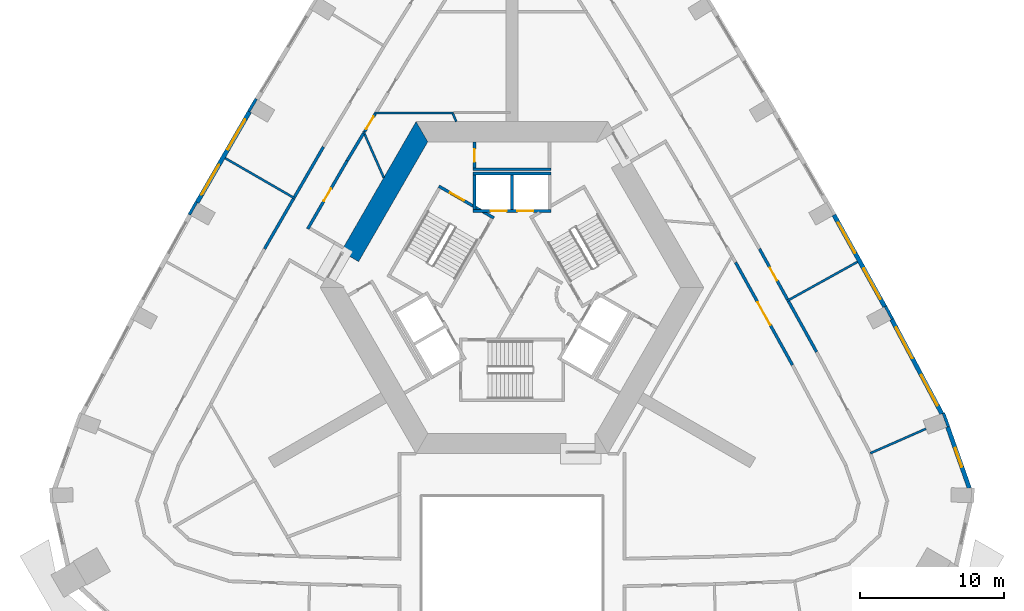
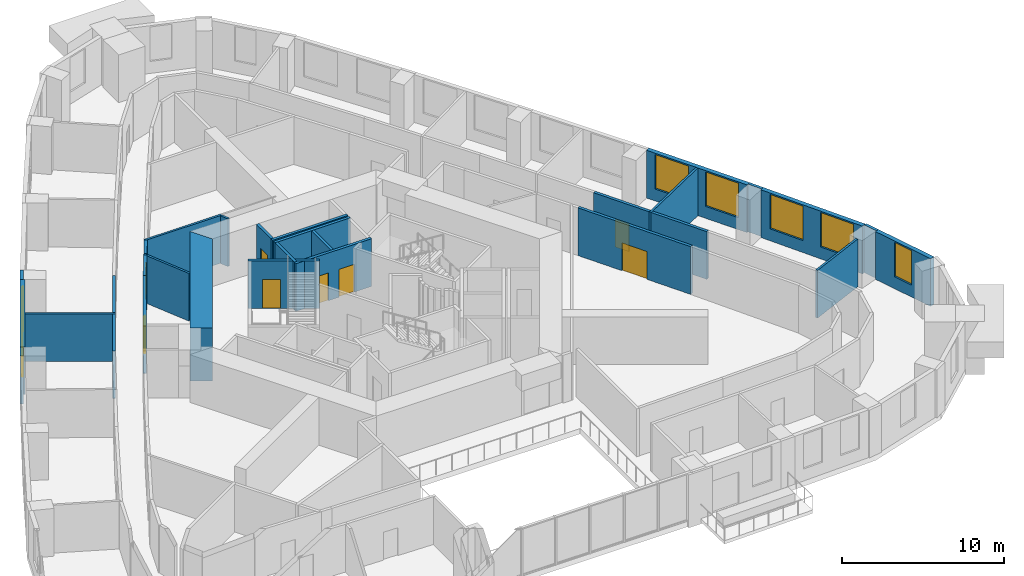
# One storey, part 7 of 13: 30 walls, 8 doors, 7 windows, 15 openings.
"""IFC4 building model written with IfcOpenShell, lengths in metres."""

from ifc_helpers import new_model, si_unit, direction, frame, frame_2d, origin, place, context, subcontext, project, spatial, polyline, rectangle, outline, extrude, material, layer, layer_set, type_object, element, fill, save


model = new_model("IFC4")

# Units and contexts
model_context = context("Model", 3, precision=1e-05, world=origin(), true_north=direction((0.0, 1.0)))
body_context = subcontext(model_context, "Body", "Model", "MODEL_VIEW")
ifc_project = project(units=[si_unit("LENGTHUNIT", "METRE"), si_unit("AREAUNIT", "SQUARE_METRE"), si_unit("VOLUMEUNIT", "CUBIC_METRE"), si_unit("PLANEANGLEUNIT", "RADIAN"), si_unit("MASSUNIT", "GRAM", prefix="KILO")], contexts=[model_context])

# Site, building, storey
site_placement = place(None, origin())
site = spatial("IfcSite", under=ifc_project, at=site_placement, CompositionType="ELEMENT")
building_placement = place(site_placement, origin())
building = spatial("IfcBuilding", under=site, at=building_placement, Name="Entoto Arch Interchange Tower", CompositionType="ELEMENT")
storey_placement = place(building_placement, frame((0.0, 0.0, 231.800048828125)))
storey = spatial("IfcBuildingStorey", under=building, at=storey_placement, Name="L52", CompositionType="ELEMENT", Elevation=231.800048828125)

# Wall
ifc_material_1 = material(Name="Concrete C50/60", Category="concrete")
ifc_layer_1 = layer(ifc_material_1, 1.39990234375)
ifc_layer_set_1 = layer_set([ifc_layer_1], Name="Concrete C50/60")
wall_type_1 = type_object("IfcWallType", Name="Core wall 1400 C50/60", PredefinedType="SHEAR", material=ifc_layer_set_1)
wall_1_placement = place(storey_placement, frame((0.0, 0.0, -0.400146484375)))
element("IfcWall", 1, at=wall_1_placement, inside=storey, type_object=wall_type_1, Name="Core wall NW L52", PredefinedType="SHEAR", context=body_context, shape_type="SweptSolid", body=[
    extrude(outline(polyline([(-11.833984375, 5.001953125), (-10.6220703125, 4.302001953125), (-5.8310546875, 12.60009765625), (-6.639892578125, 14.0), (-11.833984375, 5.001953125)])), origin(), (0.0, 0.0, 1.0), 4.0),
])

# Wall, openings, doors
ifc_material_2 = material(Name="Concrete C40/50", Category="concrete")
ifc_layer_2 = layer(ifc_material_2, 0.199951171875)
ifc_layer_set_2 = layer_set([ifc_layer_2], Name="Concrete C40/50")
wall_type_2 = type_object("IfcWallType", Name="LIFT SHAFT WALL 200", PredefinedType="STANDARD", material=ifc_layer_set_2)
wall_2_placement = place(storey_placement, frame((2.699951171875, 7.800048828125, 0.0), z_axis=(0.0, 0.0, 1.0), x_axis=(-1.0, 0.0, 0.0)))
wall_2 = element("IfcWall", 2, at=wall_2_placement, inside=storey, type_object=wall_type_2, Name="Shaft wall N1 front", PredefinedType="STANDARD", context=body_context, shape_type="SweptSolid", body=[
    extrude(rectangle(XDim=5.39990234375, YDim=0.199951171875, at=frame_2d((2.699951171875, 0.0))), origin(), (0.0, 0.0, 1.0), 3.599853515625),
])
opening_1_placement = place(wall_2_placement, frame((1.22509765625, 0.0, 0.0)))
opening_1 = element("IfcOpeningElement", 3, at=opening_1_placement, cuts=wall_2, Name="Opening LD-HR1-L52", PredefinedType="OPENING", context=body_context, shape_type="SweptSolid", body=[
    extrude(rectangle(XDim=1.10009765625, YDim=2.10009765625, at=frame_2d((0.550048828125, 1.050048828125))), frame((0.0, 0.10986328125, 0.0), z_axis=(0.0, -1.0, 0.0), x_axis=(1.0, 0.0, 0.0)), (0.0, 0.0, 1.0), 0.219970703125),
])
opening_2_placement = place(wall_2_placement, frame((3.074951171875, 0.0, 0.0)))
opening_2 = element("IfcOpeningElement", 4, at=opening_2_placement, cuts=wall_2, Name="Opening LD-HR2-L52", PredefinedType="OPENING", context=body_context, shape_type="SweptSolid", body=[
    extrude(rectangle(XDim=1.10009765625, YDim=2.10009765625, at=frame_2d((0.550048828125, 1.050048828125))), frame((0.0, 0.10986328125, 0.0), z_axis=(0.0, -1.0, 0.0), x_axis=(1.0, 0.0, 0.0)), (0.0, 0.0, 1.0), 0.219970703125),
])
ifc_material_3 = material(Name="Stainless steel 1.4301 panels", Category="steel")
door_type_1 = type_object("IfcDoorType", Name="LIFT LANDING DOOR LD1 1100x2100", OperationType="SLIDING_TO_LEFT", PredefinedType="DOOR", material=ifc_material_3)
door_1_placement = place(opening_1_placement, origin())
door_1 = element("IfcDoor", 5, at=door_1_placement, inside=storey, type_object=door_type_1, Name="Lift landing door HR1 L52", OperationType="SLIDING_TO_LEFT", OverallHeight=2.10009765625, OverallWidth=1.10009765625, PredefinedType="DOOR", context=body_context, shape_type="SweptSolid", body=[
    extrude(rectangle(XDim=1.10009765625, YDim=2.10009765625, at=frame_2d((0.550048828125, 1.050048828125))), frame((0.0, 0.02490234375, 0.0), z_axis=(0.0, -1.0, 0.0), x_axis=(1.0, 0.0, 0.0)), (0.0, 0.0, 1.0), 0.050048828125),
])
fill(opening_1, door_1)
door_2_placement = place(opening_2_placement, origin())
door_2 = element("IfcDoor", 6, at=door_2_placement, inside=storey, type_object=door_type_1, Name="Lift landing door HR2 L52", OperationType="SLIDING_TO_LEFT", OverallHeight=2.10009765625, OverallWidth=1.10009765625, PredefinedType="DOOR", context=body_context, shape_type="SweptSolid", body=[
    extrude(rectangle(XDim=1.10009765625, YDim=2.10009765625, at=frame_2d((0.550048828125, 1.050048828125))), frame((0.0, 0.02490234375, 0.0), z_axis=(0.0, -1.0, 0.0), x_axis=(1.0, 0.0, 0.0)), (0.0, 0.0, 1.0), 0.050048828125),
])
fill(opening_2, door_2)

# Walls
wall_3_placement = place(storey_placement, frame((2.699951171875, 10.39990234375, 0.0), z_axis=(0.0, 0.0, 1.0), x_axis=(-1.0, 0.0, 0.0)))
element("IfcWall", 7, at=wall_3_placement, inside=storey, type_object=wall_type_2, Name="Shaft wall N1 back", PredefinedType="STANDARD", context=body_context, shape_type="SweptSolid", body=[
    extrude(rectangle(XDim=5.39990234375, YDim=0.199951171875, at=frame_2d((2.699951171875, 0.0))), origin(), (0.0, 0.0, 1.0), 3.599853515625),
])
for number, where, z_axis, x_axis, name in (
    (8, (0.0, 7.89990234375, 0.0), (0.0, 0.0, 1.0), (0.0, 1.0, 0.0), "Shaft wall N1 cross 2"),
    (9, (-2.60009765625, 7.89990234375, 0.0), (0.0, 0.0, 1.0), (0.0, 1.0, 0.0), "Shaft wall N1 cross 3"),
):
    element("IfcWall", number, at=place(storey_placement, frame(where, z_axis=z_axis, x_axis=x_axis)), inside=storey, type_object=wall_type_2, Name=name, PredefinedType="STANDARD", context=body_context, shape_type="SweptSolid", body=[
        extrude(rectangle(XDim=2.400146484375, YDim=0.199951171875, at=frame_2d((1.2001953125, 0.0))), origin(), (0.0, 0.0, 1.0), 3.599853515625),
    ])
ifc_material_4 = material(Name="Gypsum board partition on steel studs", Category="steel")
ifc_layer_3 = layer(ifc_material_4, 0.14990234375)
ifc_layer_set_3 = layer_set([ifc_layer_3], Name="Gypsum board partition on steel studs")
wall_type_3 = type_object("IfcWallType", Name="PARTITION 150", PredefinedType="PARTITIONING", material=ifc_layer_set_3)
wall_4_placement = place(storey_placement, frame((-8.87890625, 10.123046875, 0.0), z_axis=(0.0, 0.0, 1.0), x_axis=(-0.404271206787, 0.914639159102, 0.0)))
element("IfcWall", 10, at=wall_4_placement, inside=storey, type_object=wall_type_3, Name="wall:L52:p080", PredefinedType="PARTITIONING", context=body_context, shape_type="SweptSolid", body=[
    extrude(rectangle(XDim=3.495361328125, YDim=0.14990234375, at=frame_2d((1.74755859375, 0.0))), origin(), (0.0, 0.0, 1.0), 3.599853515625),
])
wall_5_placement = place(storey_placement, frame((-3.85693359375, 14.0, 0.0), z_axis=(0.0, 0.0, 1.0), x_axis=(-0.403443407317, 0.915004599493, 0.0)))
element("IfcWall", 11, at=wall_5_placement, inside=storey, type_object=wall_type_3, Name="wall:L52:p081", PredefinedType="PARTITIONING", context=body_context, shape_type="SweptSolid", body=[
    extrude(rectangle(XDim=0.580322265625, YDim=0.14990234375, at=frame_2d((0.2900390625, 0.0))), origin(), (0.0, 0.0, 1.0), 3.599853515625),
])
wall_6_placement = place(storey_placement, frame((-4.047119140625, 14.60009765625, 0.0), z_axis=(0.0, 0.0, 1.0), x_axis=(-1.0, 0.0, 0.0)))
element("IfcWall", 12, at=wall_6_placement, inside=storey, type_object=wall_type_3, Name="wall:L52:p082", PredefinedType="PARTITIONING", context=body_context, shape_type="SweptSolid", body=[
    extrude(rectangle(XDim=5.47998046875, YDim=0.14990234375, at=frame_2d((2.739990234375, 0.0))), origin(), (0.0, 0.0, 1.0), 3.599853515625),
])
wall_7_placement = place(storey_placement, frame((24.819091796875, -8.964111328125, 0.0), z_axis=(0.0, 0.0, 1.0), x_axis=(0.915460951187, 0.402406817602, 0.0)))
element("IfcWall", 13, at=wall_7_placement, inside=storey, type_object=wall_type_3, Name="wall:L52:p116", PredefinedType="PARTITIONING", context=body_context, shape_type="SweptSolid", body=[
    extrude(rectangle(XDim=4.1923828125, YDim=0.14990234375, at=frame_2d((2.09619140625, 0.0))), origin(), (0.0, 0.0, 1.0), 3.599853515625),
])
wall_8_placement = place(storey_placement, frame((19.02490234375, 1.570068359375, 0.0), z_axis=(0.0, 0.0, 1.0), x_axis=(0.874714019242, 0.484639437666, 0.0)))
element("IfcWall", 14, at=wall_8_placement, inside=storey, type_object=wall_type_3, Name="wall:L52:p117", PredefinedType="PARTITIONING", context=body_context, shape_type="SweptSolid", body=[
    extrude(rectangle(XDim=5.599853515625, YDim=0.14990234375, at=frame_2d((2.7998046875, 0.0))), origin(), (0.0, 0.0, 1.0), 3.599853515625),
])
wall_9_placement = place(storey_placement, frame((-15.010009765625, 8.6650390625, 0.0), z_axis=(0.0, 0.0, 1.0), x_axis=(-0.865961984968, 0.500109828528, 0.0)))
element("IfcWall", 15, at=wall_9_placement, inside=storey, type_object=wall_type_3, Name="wall:L52:p123", PredefinedType="PARTITIONING", context=body_context, shape_type="SweptSolid", body=[
    extrude(rectangle(XDim=5.600830078125, YDim=0.14990234375, at=frame_2d((2.80029296875, 0.0))), origin(), (0.0, 0.0, 1.0), 3.599853515625),
])

# Wall, opening, door
ifc_layer_4 = layer(ifc_material_4, 0.199951171875)
ifc_layer_set_4 = layer_set([ifc_layer_4], Name="Gypsum board partition on steel studs")
wall_type_4 = type_object("IfcWallType", Name="PARTITION 200", PredefinedType="PARTITIONING", material=ifc_layer_set_4)
wall_10_placement = place(storey_placement, frame((-9.466064453125, 14.535888671875, 0.0), z_axis=(0.0, 0.0, 1.0), x_axis=(-0.514545292, -0.857463201823, 0.0)))
wall_10 = element("IfcWall", 16, at=wall_10_placement, inside=storey, type_object=wall_type_4, Name="wall:L52:p001", PredefinedType="PARTITIONING", context=body_context, shape_type="SweptSolid", body=[
    extrude(rectangle(XDim=1.449462890625, YDim=0.199951171875, at=frame_2d((0.724609375, 0.0))), origin(), (0.0, 0.0, 1.0), 3.599853515625),
])
opening_3_placement = place(wall_10_placement, frame((0.22509765625, 0.0, 0.0)))
opening_3 = element("IfcOpeningElement", 17, at=opening_3_placement, cuts=wall_10, Name="Opening L52-D32", PredefinedType="OPENING", context=body_context, shape_type="SweptSolid", body=[
    extrude(rectangle(XDim=1.0, YDim=2.10009765625, at=frame_2d((0.5, 1.050048828125))), frame((0.0, 0.10986328125, 0.0), z_axis=(0.0, -1.0, 0.0), x_axis=(1.0, 0.0, 0.0)), (0.0, 0.0, 1.0), 0.219970703125),
])
ifc_material_5 = material(Name="Timber door leaf in Steel S235 frame", Category="steel")
door_type_2 = type_object("IfcDoorType", Name="DOOR DS-10 1000x2100", OperationType="SINGLE_SWING_LEFT", PredefinedType="DOOR", material=ifc_material_5)
door_3_placement = place(opening_3_placement, origin())
door_3 = element("IfcDoor", 18, at=door_3_placement, inside=storey, type_object=door_type_2, Name="door:L52:32", OperationType="SINGLE_SWING_RIGHT", OverallHeight=2.10009765625, OverallWidth=1.0, PredefinedType="DOOR", context=body_context, shape_type="SweptSolid", body=[
    extrude(rectangle(XDim=1.0, YDim=2.10009765625, at=frame_2d((0.5, 1.050048828125))), frame((0.0, 0.02490234375, 0.0), z_axis=(0.0, -1.0, 0.0), x_axis=(1.0, 0.0, 0.0)), (0.0, 0.0, 1.0), 0.050048828125),
])
fill(opening_3, door_3)

# Wall
wall_11_placement = place(storey_placement, frame((-10.2900390625, 13.1640625, 0.0), z_axis=(0.0, 0.0, 1.0), x_axis=(-0.514904735811, -0.857247404802, 0.0)))
element("IfcWall", 19, at=wall_11_placement, inside=storey, type_object=wall_type_4, Name="wall:L52:p002", PredefinedType="PARTITIONING", context=body_context, shape_type="SweptSolid", body=[
    extrude(rectangle(XDim=2.1943359375, YDim=0.199951171875, at=frame_2d((1.09716796875, 0.0))), origin(), (0.0, 0.0, 1.0), 3.599853515625),
])

# Wall, opening, door
wall_12_placement = place(storey_placement, frame((-11.419921875, 11.282958984375, 0.0), z_axis=(0.0, 0.0, 1.0), x_axis=(-0.500179011873, -0.86592202656, 0.0)))
wall_12 = element("IfcWall", 20, at=wall_12_placement, inside=storey, type_object=wall_type_4, Name="wall:L52:p003", PredefinedType="PARTITIONING", context=body_context, shape_type="SweptSolid", body=[
    extrude(rectangle(XDim=5.4462890625, YDim=0.199951171875, at=frame_2d((2.72314453125, 0.0))), origin(), (0.0, 0.0, 1.0), 3.599853515625),
])
opening_4_placement = place(wall_12_placement, frame((2.222900390625, 0.0, 0.0)))
opening_4 = element("IfcOpeningElement", 21, at=opening_4_placement, cuts=wall_12, Name="Opening L52-D24", PredefinedType="OPENING", context=body_context, shape_type="SweptSolid", body=[
    extrude(rectangle(XDim=1.0, YDim=2.10009765625, at=frame_2d((0.5, 1.050048828125))), frame((0.0, 0.10986328125, 0.0), z_axis=(0.0, -1.0, 0.0), x_axis=(1.0, 0.0, 0.0)), (0.0, 0.0, 1.0), 0.219970703125),
])
door_4_placement = place(opening_4_placement, origin())
door_4 = element("IfcDoor", 22, at=door_4_placement, inside=storey, type_object=door_type_2, Name="door:L52:24", OperationType="SINGLE_SWING_LEFT", OverallHeight=2.10009765625, OverallWidth=1.0, PredefinedType="DOOR", context=body_context, shape_type="SweptSolid", body=[
    extrude(rectangle(XDim=1.0, YDim=2.10009765625, at=frame_2d((0.5, 1.050048828125))), frame((0.0, 0.02490234375, 0.0), z_axis=(0.0, -1.0, 0.0), x_axis=(1.0, 0.0, 0.0)), (0.0, 0.0, 1.0), 0.050048828125),
])
fill(opening_4, door_4)

wall_13_placement = place(storey_placement, frame((19.4189453125, -2.85595703125, 0.0), z_axis=(0.0, 0.0, 1.0), x_axis=(-0.484683114876, 0.874689818252, 0.0)))
wall_13 = element("IfcWall", 23, at=wall_13_placement, inside=storey, type_object=wall_type_4, Name="wall:L52:p027", PredefinedType="PARTITIONING", context=body_context, shape_type="SweptSolid", body=[
    extrude(rectangle(XDim=8.122802734375, YDim=0.199951171875, at=frame_2d((4.0615234375, 0.0))), origin(), (0.0, 0.0, 1.0), 3.599853515625),
])
opening_5_placement = place(wall_13_placement, frame((3.160888671875, 0.0, 0.0)))
opening_5 = element("IfcOpeningElement", 24, at=opening_5_placement, cuts=wall_13, Name="Opening L52-D15", PredefinedType="OPENING", context=body_context, shape_type="SweptSolid", body=[
    extrude(rectangle(XDim=1.800048828125, YDim=2.10009765625, at=frame_2d((0.89990234375, 1.050048828125))), frame((0.0, 0.10986328125, 0.0), z_axis=(0.0, -1.0, 0.0), x_axis=(1.0, 0.0, 0.0)), (0.0, 0.0, 1.0), 0.219970703125),
])
door_type_3 = type_object("IfcDoorType", Name="DOOR DD-18 1800x2100", OperationType="DOUBLE_DOOR_SINGLE_SWING", PredefinedType="DOOR", material=ifc_material_5)
door_5_placement = place(opening_5_placement, origin())
door_5 = element("IfcDoor", 25, at=door_5_placement, inside=storey, type_object=door_type_3, Name="door:L52:15", OperationType="DOUBLE_DOOR_SINGLE_SWING", OverallHeight=2.10009765625, OverallWidth=1.800048828125, PredefinedType="DOOR", context=body_context, shape_type="SweptSolid", body=[
    extrude(rectangle(XDim=1.800048828125, YDim=2.10009765625, at=frame_2d((0.89990234375, 1.050048828125))), frame((0.0, 0.02490234375, 0.0), z_axis=(0.0, -1.0, 0.0), x_axis=(1.0, 0.0, 0.0)), (0.0, 0.0, 1.0), 0.050048828125),
])
fill(opening_5, door_5)

# Wall
wall_14_placement = place(storey_placement, frame((19.14892578125, 1.552978515625, 0.0), z_axis=(0.0, 0.0, 1.0), x_axis=(0.484622593188, -0.874723351793, 0.0)))
element("IfcWall", 26, at=wall_14_placement, inside=storey, type_object=wall_type_4, Name="wall:L52:p046", PredefinedType="PARTITIONING", context=body_context, shape_type="SweptSolid", body=[
    extrude(rectangle(XDim=4.00341796875, YDim=0.199951171875, at=frame_2d((2.001708984375, 0.0))), origin(), (0.0, 0.0, 1.0), 3.599853515625),
])

# Wall, opening, door
wall_15_placement = place(storey_placement, frame((17.135986328125, 5.18505859375, 0.0), z_axis=(0.0, 0.0, 1.0), x_axis=(0.484679349661, -0.874691904623, 0.0)))
wall_15 = element("IfcWall", 27, at=wall_15_placement, inside=storey, type_object=wall_type_4, Name="wall:L52:p049", PredefinedType="PARTITIONING", context=body_context, shape_type="SweptSolid", body=[
    extrude(rectangle(XDim=4.00244140625, YDim=0.199951171875, at=frame_2d((2.001220703125, 0.0))), origin(), (0.0, 0.0, 1.0), 3.599853515625),
])
opening_6_placement = place(wall_15_placement, frame((1.5009765625, 0.0, 0.0)))
opening_6 = element("IfcOpeningElement", 28, at=opening_6_placement, cuts=wall_15, Name="Opening L52-D05", PredefinedType="OPENING", context=body_context, shape_type="SweptSolid", body=[
    extrude(rectangle(XDim=1.0, YDim=2.10009765625, at=frame_2d((0.5, 1.050048828125))), frame((0.0, 0.10986328125, 0.0), z_axis=(0.0, -1.0, 0.0), x_axis=(1.0, 0.0, 0.0)), (0.0, 0.0, 1.0), 0.219970703125),
])
door_6_placement = place(opening_6_placement, origin())
door_6 = element("IfcDoor", 29, at=door_6_placement, inside=storey, type_object=door_type_2, Name="door:L52:05", OperationType="SINGLE_SWING_LEFT", OverallHeight=2.10009765625, OverallWidth=1.0, PredefinedType="DOOR", context=body_context, shape_type="SweptSolid", body=[
    extrude(rectangle(XDim=1.0, YDim=2.10009765625, at=frame_2d((0.5, 1.050048828125))), frame((0.0, 0.02490234375, 0.0), z_axis=(0.0, -1.0, 0.0), x_axis=(1.0, 0.0, 0.0)), (0.0, 0.0, 1.0), 0.050048828125),
])
fill(opening_6, door_6)

# Walls
wall_16_placement = place(storey_placement, frame((-15.05908203125, 8.780029296875, 0.0), z_axis=(0.0, 0.0, 1.0), x_axis=(0.500093699572, 0.865971299552, 0.0)))
element("IfcWall", 30, at=wall_16_placement, inside=storey, type_object=wall_type_4, Name="wall:L52:p059", PredefinedType="PARTITIONING", context=body_context, shape_type="SweptSolid", body=[
    extrude(rectangle(XDim=4.003662109375, YDim=0.199951171875, at=frame_2d((2.001953125, 0.0))), origin(), (0.0, 0.0, 1.0), 3.599853515625),
])
wall_17_placement = place(storey_placement, frame((-17.135986328125, 5.18505859375, 0.0), z_axis=(0.0, 0.0, 1.0), x_axis=(0.500102734445, 0.865966081899, 0.0)))
element("IfcWall", 31, at=wall_17_placement, inside=storey, type_object=wall_type_4, Name="wall:L52:p062", PredefinedType="PARTITIONING", context=body_context, shape_type="SweptSolid", body=[
    extrude(rectangle(XDim=4.001220703125, YDim=0.199951171875, at=frame_2d((2.00048828125, 0.0))), origin(), (0.0, 0.0, 1.0), 3.599853515625),
])

# Wall, opening, door
wall_18_placement = place(storey_placement, frame((-2.60009765625, 10.800048828125, 0.0), z_axis=(0.0, 0.0, 1.0), x_axis=(0.0, 1.0, 0.0)))
wall_18 = element("IfcWall", 32, at=wall_18_placement, inside=storey, type_object=wall_type_4, Name="wall:L52:p071", PredefinedType="PARTITIONING", context=body_context, shape_type="SweptSolid", body=[
    extrude(rectangle(XDim=1.800048828125, YDim=0.199951171875, at=frame_2d((0.89990234375, 0.0))), origin(), (0.0, 0.0, 1.0), 3.599853515625),
])
opening_7_placement = place(wall_18_placement, frame((0.39990234375, 0.0, 0.0)))
opening_7 = element("IfcOpeningElement", 33, at=opening_7_placement, cuts=wall_18, Name="Opening L52-D29", PredefinedType="OPENING", context=body_context, shape_type="SweptSolid", body=[
    extrude(rectangle(XDim=0.89990234375, YDim=2.10009765625, at=frame_2d((0.449951171875, 1.050048828125))), frame((0.0, 0.10986328125, 0.0), z_axis=(0.0, -1.0, 0.0), x_axis=(1.0, 0.0, 0.0)), (0.0, 0.0, 1.0), 0.219970703125),
])
door_type_4 = type_object("IfcDoorType", Name="DOOR DS-09 900x2100", OperationType="SINGLE_SWING_LEFT", PredefinedType="DOOR", material=ifc_material_5)
door_7_placement = place(opening_7_placement, origin())
door_7 = element("IfcDoor", 34, at=door_7_placement, inside=storey, type_object=door_type_4, Name="door:L52:29", OperationType="SINGLE_SWING_RIGHT", OverallHeight=2.10009765625, OverallWidth=0.89990234375, PredefinedType="DOOR", context=body_context, shape_type="SweptSolid", body=[
    extrude(rectangle(XDim=0.89990234375, YDim=2.10009765625, at=frame_2d((0.449951171875, 1.050048828125))), frame((0.0, 0.02490234375, 0.0), z_axis=(0.0, -1.0, 0.0), x_axis=(1.0, 0.0, 0.0)), (0.0, 0.0, 1.0), 0.050048828125),
])
fill(opening_7, door_7)

# Wall
wall_19_placement = place(storey_placement, frame((2.699951171875, 10.699951171875, 0.0), z_axis=(0.0, 0.0, 1.0), x_axis=(-1.0, 0.0, 0.0)))
element("IfcWall", 35, at=wall_19_placement, inside=storey, type_object=wall_type_4, Name="wall:L52:p073", PredefinedType="PARTITIONING", context=body_context, shape_type="SweptSolid", body=[
    extrude(rectangle(XDim=5.39990234375, YDim=0.199951171875, at=frame_2d((2.699951171875, 0.0))), origin(), (0.0, 0.0, 1.0), 3.599853515625),
])

# Wall, opening, door
ifc_layer_5 = layer(ifc_material_2, 0.199951171875)
ifc_layer_set_5 = layer_set([ifc_layer_5], Name="Concrete C40/50")
wall_type_5 = type_object("IfcWallType", Name="STAIR ENCLOSURE WALL 200", PredefinedType="STANDARD", material=ifc_layer_set_5)
wall_20_placement = place(storey_placement, frame((-1.256103515625, 7.323974609375, 0.0), z_axis=(0.0, 0.0, 1.0), x_axis=(-0.866046073146, 0.499964197906, 0.0)))
wall_20 = element("IfcWall", 36, at=wall_20_placement, inside=storey, type_object=wall_type_5, Name="Stair wall ST-NW near", PredefinedType="STANDARD", context=body_context, shape_type="SweptSolid", body=[
    extrude(rectangle(XDim=4.400146484375, YDim=0.199951171875, at=frame_2d((2.2001953125, 0.0))), origin(), (0.0, 0.0, 1.0), 3.599853515625),
])
opening_8_placement = place(wall_20_placement, frame((2.39990234375, 0.0, 0.0)))
opening_8 = element("IfcOpeningElement", 37, at=opening_8_placement, cuts=wall_20, Name="Opening SD-ST-NW-L52-E", PredefinedType="OPENING", context=body_context, shape_type="SweptSolid", body=[
    extrude(rectangle(XDim=1.10009765625, YDim=2.199951171875, at=frame_2d((0.550048828125, 1.10009765625))), frame((0.0, 0.10986328125, 0.0), z_axis=(0.0, -1.0, 0.0), x_axis=(1.0, 0.0, 0.0)), (0.0, 0.0, 1.0), 0.219970703125),
])
ifc_material_6 = material(Name="Steel S235", Category="steel")
door_type_5 = type_object("IfcDoorType", Name="STAIR DOOR SD1 1100x2200", OperationType="SINGLE_SWING_LEFT", PredefinedType="DOOR", material=ifc_material_6)
door_8_placement = place(opening_8_placement, origin())
door_8 = element("IfcDoor", 38, at=door_8_placement, inside=storey, type_object=door_type_5, Name="Stair door ST-NW L52 end", OperationType="SINGLE_SWING_LEFT", OverallHeight=2.199951171875, OverallWidth=1.10009765625, PredefinedType="DOOR", context=body_context, shape_type="SweptSolid", body=[
    extrude(rectangle(XDim=1.10009765625, YDim=2.199951171875, at=frame_2d((0.550048828125, 1.10009765625))), frame((0.0, 0.02490234375, 0.0), z_axis=(0.0, -1.0, 0.0), x_axis=(1.0, 0.0, 0.0)), (0.0, 0.0, 1.0), 0.050048828125),
])
fill(opening_8, door_8)

# Wall, opening, window
ifc_material_7 = material(Name="Welded tuff (ignimbrite) cladding, warm buff", Category="masonry")
ifc_layer_6 = layer(ifc_material_7, 0.300048828125)
ifc_layer_set_6 = layer_set([ifc_layer_6], Name="Welded tuff (ignimbrite) cladding, warm buff")
wall_type_6 = type_object("IfcWallType", Name="STONE INFILL WALL 300", PredefinedType="STANDARD", material=ifc_layer_set_6)
wall_21_placement = place(storey_placement, frame((31.666015625, -11.382080078125, 0.0), z_axis=(0.0, 0.0, 1.0), x_axis=(-0.333280640478, 0.942827669663, 0.0)))
wall_21 = element("IfcWall", 39, at=wall_21_placement, inside=storey, type_object=wall_type_6, Name="Facade wall SE-04 L52", PredefinedType="STANDARD", context=body_context, shape_type="SweptSolid", body=[
    extrude(rectangle(XDim=4.491943359375, YDim=0.300048828125, at=frame_2d((2.24609375, 0.0))), origin(), (0.0, 0.0, 1.0), 3.599853515625),
])
opening_9_placement = place(wall_21_placement, frame((1.5458984375, 0.0, 0.89990234375)))
opening_9 = element("IfcOpeningElement", 40, at=opening_9_placement, cuts=wall_21, Name="Opening WO-B", PredefinedType="OPENING", context=body_context, shape_type="SweptSolid", body=[
    extrude(rectangle(XDim=1.39990234375, YDim=2.60009765625, at=frame_2d((0.699951171875, 1.300048828125))), frame((0.0, 0.16015625, 0.0), z_axis=(0.0, -1.0, 0.0), x_axis=(1.0, 0.0, 0.0)), (0.0, 0.0, 1.0), 0.320068359375),
])
ifc_material_8 = material(Name="Clear glass, low-e double glazed", Category="glass")
window_type_1 = type_object("IfcWindowType", Name="WINDOW WO-B 1400x2600", PartitioningType="DOUBLE_PANEL_VERTICAL", PredefinedType="WINDOW", material=ifc_material_8)
window_1_placement = place(opening_9_placement, origin())
window_1 = element("IfcWindow", 41, at=window_1_placement, inside=storey, type_object=window_type_1, Name="Window WO-B SE-04 L52", OverallHeight=2.60009765625, OverallWidth=1.39990234375, PartitioningType="SINGLE_PANEL", PredefinedType="WINDOW", context=body_context, shape_type="SweptSolid", body=[
    extrude(rectangle(XDim=1.39990234375, YDim=2.60009765625, at=frame_2d((0.699951171875, 1.300048828125))), frame((0.0, 0.030029296875, 0.0), z_axis=(0.0, -1.0, 0.0), x_axis=(1.0, 0.0, 0.0)), (0.0, 0.0, 1.0), 0.06005859375),
])
fill(opening_9, window_1)

# Wall, openings, windows
wall_22_placement = place(storey_placement, frame((29.764892578125, -6.23193359375, 0.0), z_axis=(0.0, 0.0, 1.0), x_axis=(-0.469429229062, 0.882970100797, 0.0)))
wall_22 = element("IfcWall", 42, at=wall_22_placement, inside=storey, type_object=wall_type_6, Name="Facade wall NE-01 L52", PredefinedType="STANDARD", context=body_context, shape_type="SweptSolid", body=[
    extrude(rectangle(XDim=7.404296875, YDim=0.300048828125, at=frame_2d((3.7021484375, 0.0))), origin(), (0.0, 0.0, 1.0), 3.599853515625),
])
opening_10_placement = place(wall_22_placement, frame((0.65087890625, 0.0, 0.89990234375)))
opening_10 = element("IfcOpeningElement", 43, at=opening_10_placement, cuts=wall_22, Name="Opening WO-A", PredefinedType="OPENING", context=body_context, shape_type="SweptSolid", body=[
    extrude(rectangle(XDim=2.39990234375, YDim=2.60009765625, at=frame_2d((1.199951171875, 1.300048828125))), frame((0.0, 0.16015625, 0.0), z_axis=(0.0, -1.0, 0.0), x_axis=(1.0, 0.0, 0.0)), (0.0, 0.0, 1.0), 0.320068359375),
])
opening_11_placement = place(wall_22_placement, frame((4.35302734375, 0.0, 0.89990234375)))
opening_11 = element("IfcOpeningElement", 44, at=opening_11_placement, cuts=wall_22, Name="Opening WO-A", PredefinedType="OPENING", context=body_context, shape_type="SweptSolid", body=[
    extrude(rectangle(XDim=2.39990234375, YDim=2.60009765625, at=frame_2d((1.199951171875, 1.300048828125))), frame((0.0, 0.16015625, 0.0), z_axis=(0.0, -1.0, 0.0), x_axis=(1.0, 0.0, 0.0)), (0.0, 0.0, 1.0), 0.320068359375),
])
window_type_2 = type_object("IfcWindowType", Name="WINDOW WO-A 2400x2600", PartitioningType="DOUBLE_PANEL_VERTICAL", PredefinedType="WINDOW", material=ifc_material_8)
window_2_placement = place(opening_10_placement, origin())
window_2 = element("IfcWindow", 45, at=window_2_placement, inside=storey, type_object=window_type_2, Name="Window WO-A NE-01 L52", OverallHeight=2.60009765625, OverallWidth=2.39990234375, PartitioningType="SINGLE_PANEL", PredefinedType="WINDOW", context=body_context, shape_type="SweptSolid", body=[
    extrude(rectangle(XDim=2.39990234375, YDim=2.60009765625, at=frame_2d((1.199951171875, 1.300048828125))), frame((0.0, 0.030029296875, 0.0), z_axis=(0.0, -1.0, 0.0), x_axis=(1.0, 0.0, 0.0)), (0.0, 0.0, 1.0), 0.06005859375),
])
fill(opening_10, window_2)
window_3_placement = place(opening_11_placement, origin())
window_3 = element("IfcWindow", 46, at=window_3_placement, inside=storey, type_object=window_type_2, Name="Window WO-A NE-01 L52", OverallHeight=2.60009765625, OverallWidth=2.39990234375, PartitioningType="SINGLE_PANEL", PredefinedType="WINDOW", context=body_context, shape_type="SweptSolid", body=[
    extrude(rectangle(XDim=2.39990234375, YDim=2.60009765625, at=frame_2d((1.199951171875, 1.300048828125))), frame((0.0, 0.030029296875, 0.0), z_axis=(0.0, -1.0, 0.0), x_axis=(1.0, 0.0, 0.0)), (0.0, 0.0, 1.0), 0.06005859375),
])
fill(opening_11, window_3)

wall_23_placement = place(storey_placement, frame((25.81298828125, 1.18310546875, 0.0), z_axis=(0.0, 0.0, 1.0), x_axis=(-0.484742980126, 0.874656643043, 0.0)))
wall_23 = element("IfcWall", 47, at=wall_23_placement, inside=storey, type_object=wall_type_6, Name="Facade wall NE-02 L52", PredefinedType="STANDARD", context=body_context, shape_type="SweptSolid", body=[
    extrude(rectangle(XDim=7.257568359375, YDim=0.300048828125, at=frame_2d((3.62890625, 0.0))), origin(), (0.0, 0.0, 1.0), 3.599853515625),
])
opening_12_placement = place(wall_23_placement, frame((0.614013671875, 0.0, 0.89990234375)))
opening_12 = element("IfcOpeningElement", 48, at=opening_12_placement, cuts=wall_23, Name="Opening WO-A", PredefinedType="OPENING", context=body_context, shape_type="SweptSolid", body=[
    extrude(rectangle(XDim=2.39990234375, YDim=2.60009765625, at=frame_2d((1.199951171875, 1.300048828125))), frame((0.0, 0.16015625, 0.0), z_axis=(0.0, -1.0, 0.0), x_axis=(1.0, 0.0, 0.0)), (0.0, 0.0, 1.0), 0.320068359375),
])
opening_13_placement = place(wall_23_placement, frame((4.242919921875, 0.0, 0.89990234375)))
opening_13 = element("IfcOpeningElement", 49, at=opening_13_placement, cuts=wall_23, Name="Opening WO-A", PredefinedType="OPENING", context=body_context, shape_type="SweptSolid", body=[
    extrude(rectangle(XDim=2.39990234375, YDim=2.60009765625, at=frame_2d((1.199951171875, 1.300048828125))), frame((0.0, 0.16015625, 0.0), z_axis=(0.0, -1.0, 0.0), x_axis=(1.0, 0.0, 0.0)), (0.0, 0.0, 1.0), 0.320068359375),
])
window_4_placement = place(opening_12_placement, origin())
window_4 = element("IfcWindow", 50, at=window_4_placement, inside=storey, type_object=window_type_2, Name="Window WO-A NE-02 L52", OverallHeight=2.60009765625, OverallWidth=2.39990234375, PartitioningType="SINGLE_PANEL", PredefinedType="WINDOW", context=body_context, shape_type="SweptSolid", body=[
    extrude(rectangle(XDim=2.39990234375, YDim=2.60009765625, at=frame_2d((1.199951171875, 1.300048828125))), frame((0.0, 0.030029296875, 0.0), z_axis=(0.0, -1.0, 0.0), x_axis=(1.0, 0.0, 0.0)), (0.0, 0.0, 1.0), 0.06005859375),
])
fill(opening_12, window_4)
window_5_placement = place(opening_13_placement, origin())
window_5 = element("IfcWindow", 51, at=window_5_placement, inside=storey, type_object=window_type_2, Name="Window WO-A NE-02 L52", OverallHeight=2.60009765625, OverallWidth=2.39990234375, PartitioningType="SINGLE_PANEL", PredefinedType="WINDOW", context=body_context, shape_type="SweptSolid", body=[
    extrude(rectangle(XDim=2.39990234375, YDim=2.60009765625, at=frame_2d((1.199951171875, 1.300048828125))), frame((0.0, 0.030029296875, 0.0), z_axis=(0.0, -1.0, 0.0), x_axis=(1.0, 0.0, 0.0)), (0.0, 0.0, 1.0), 0.06005859375),
])
fill(opening_13, window_5)

wall_24_placement = place(storey_placement, frame((-18.175048828125, 14.68310546875, 0.0), z_axis=(0.0, 0.0, 1.0), x_axis=(-0.500075798504, -0.865981637075, 0.0)))
wall_24 = element("IfcWall", 52, at=wall_24_placement, inside=storey, type_object=wall_type_6, Name="Facade wall NW-03 L52", PredefinedType="STANDARD", context=body_context, shape_type="SweptSolid", body=[
    extrude(rectangle(XDim=7.256591796875, YDim=0.300048828125, at=frame_2d((3.62841796875, 0.0))), origin(), (0.0, 0.0, 1.0), 3.599853515625),
])
opening_14_placement = place(wall_24_placement, frame((0.614013671875, 0.0, 0.89990234375)))
opening_14 = element("IfcOpeningElement", 53, at=opening_14_placement, cuts=wall_24, Name="Opening WO-A", PredefinedType="OPENING", context=body_context, shape_type="SweptSolid", body=[
    extrude(rectangle(XDim=2.39990234375, YDim=2.60009765625, at=frame_2d((1.199951171875, 1.300048828125))), frame((0.0, 0.16015625, 0.0), z_axis=(0.0, -1.0, 0.0), x_axis=(1.0, 0.0, 0.0)), (0.0, 0.0, 1.0), 0.320068359375),
])
opening_15_placement = place(wall_24_placement, frame((4.241943359375, 0.0, 0.89990234375)))
opening_15 = element("IfcOpeningElement", 54, at=opening_15_placement, cuts=wall_24, Name="Opening WO-A", PredefinedType="OPENING", context=body_context, shape_type="SweptSolid", body=[
    extrude(rectangle(XDim=2.39990234375, YDim=2.60009765625, at=frame_2d((1.199951171875, 1.300048828125))), frame((0.0, 0.16015625, 0.0), z_axis=(0.0, -1.0, 0.0), x_axis=(1.0, 0.0, 0.0)), (0.0, 0.0, 1.0), 0.320068359375),
])
window_6_placement = place(opening_14_placement, origin())
window_6 = element("IfcWindow", 55, at=window_6_placement, inside=storey, type_object=window_type_2, Name="Window WO-A NW-03 L52", OverallHeight=2.60009765625, OverallWidth=2.39990234375, PartitioningType="SINGLE_PANEL", PredefinedType="WINDOW", context=body_context, shape_type="SweptSolid", body=[
    extrude(rectangle(XDim=2.39990234375, YDim=2.60009765625, at=frame_2d((1.199951171875, 1.300048828125))), frame((0.0, 0.030029296875, 0.0), z_axis=(0.0, -1.0, 0.0), x_axis=(1.0, 0.0, 0.0)), (0.0, 0.0, 1.0), 0.06005859375),
])
fill(opening_14, window_6)
window_7_placement = place(opening_15_placement, origin())
window_7 = element("IfcWindow", 56, at=window_7_placement, inside=storey, type_object=window_type_2, Name="Window WO-A NW-03 L52", OverallHeight=2.60009765625, OverallWidth=2.39990234375, PartitioningType="SINGLE_PANEL", PredefinedType="WINDOW", context=body_context, shape_type="SweptSolid", body=[
    extrude(rectangle(XDim=2.39990234375, YDim=2.60009765625, at=frame_2d((1.199951171875, 1.300048828125))), frame((0.0, 0.030029296875, 0.0), z_axis=(0.0, -1.0, 0.0), x_axis=(1.0, 0.0, 0.0)), (0.0, 0.0, 1.0), 0.06005859375),
])
fill(opening_15, window_7)

# Walls
ifc_layer_7 = layer(ifc_material_7, 0.199951171875)
ifc_layer_set_7 = layer_set([ifc_layer_7], Name="Welded tuff (ignimbrite) cladding, warm buff")
wall_type_7 = type_object("IfcWallType", Name="STONE PIER CLADDING 200", PredefinedType="STANDARD", material=ifc_layer_set_7)
wall_25_placement = place(storey_placement, frame((30.222900390625, -7.1279296875, 0.0), z_axis=(0.0, 0.0, 1.0), x_axis=(-0.346892928577, 0.937904737222, 0.0)))
element("IfcWall", 57, at=wall_25_placement, inside=storey, type_object=wall_type_7, Name="Stone pier NE01 L52", PredefinedType="STANDARD", context=body_context, shape_type="SweptSolid", body=[
    extrude(rectangle(XDim=1.0, YDim=0.199951171875, at=frame_2d((0.5, 0.0))), origin(), (0.0, 0.0, 1.0), 3.599853515625),
])
wall_26_placement = place(storey_placement, frame((26.3359375, 0.330078125, 0.0), z_axis=(0.0, 0.0, 1.0), x_axis=(-0.473765014438, 0.880651299377, 0.0)))
element("IfcWall", 58, at=wall_26_placement, inside=storey, type_object=wall_type_7, Name="Stone pier NE02 L52", PredefinedType="STANDARD", context=body_context, shape_type="SweptSolid", body=[
    extrude(rectangle(XDim=1.000244140625, YDim=0.199951171875, at=frame_2d((0.5, 0.0))), origin(), (0.0, 0.0, 1.0), 3.599853515625),
])
wall_27_placement = place(storey_placement, frame((-17.715087890625, 15.571044921875, 0.0), z_axis=(0.0, 0.0, 1.0), x_axis=(-0.507980373775, -0.861368643416, 0.0)))
element("IfcWall", 59, at=wall_27_placement, inside=storey, type_object=wall_type_7, Name="Stone pier NW03 L52", PredefinedType="STANDARD", context=body_context, shape_type="SweptSolid", body=[
    extrude(rectangle(XDim=0.999755859375, YDim=0.199951171875, at=frame_2d((0.5, 0.0))), origin(), (0.0, 0.0, 1.0), 3.599853515625),
])
wall_28_placement = place(storey_placement, frame((-21.85107421875, 8.427001953125, 0.0), z_axis=(0.0, 0.0, 1.0), x_axis=(-0.491743606947, -0.87074004446, 0.0)))
element("IfcWall", 60, at=wall_28_placement, inside=storey, type_object=wall_type_7, Name="Stone pier NW04 L52", PredefinedType="STANDARD", context=body_context, shape_type="SweptSolid", body=[
    extrude(rectangle(XDim=1.00048828125, YDim=0.199951171875, at=frame_2d((0.500244140625, 0.0))), origin(), (0.0, 0.0, 1.0), 3.599853515625),
])

save(model, "model.ifc")
